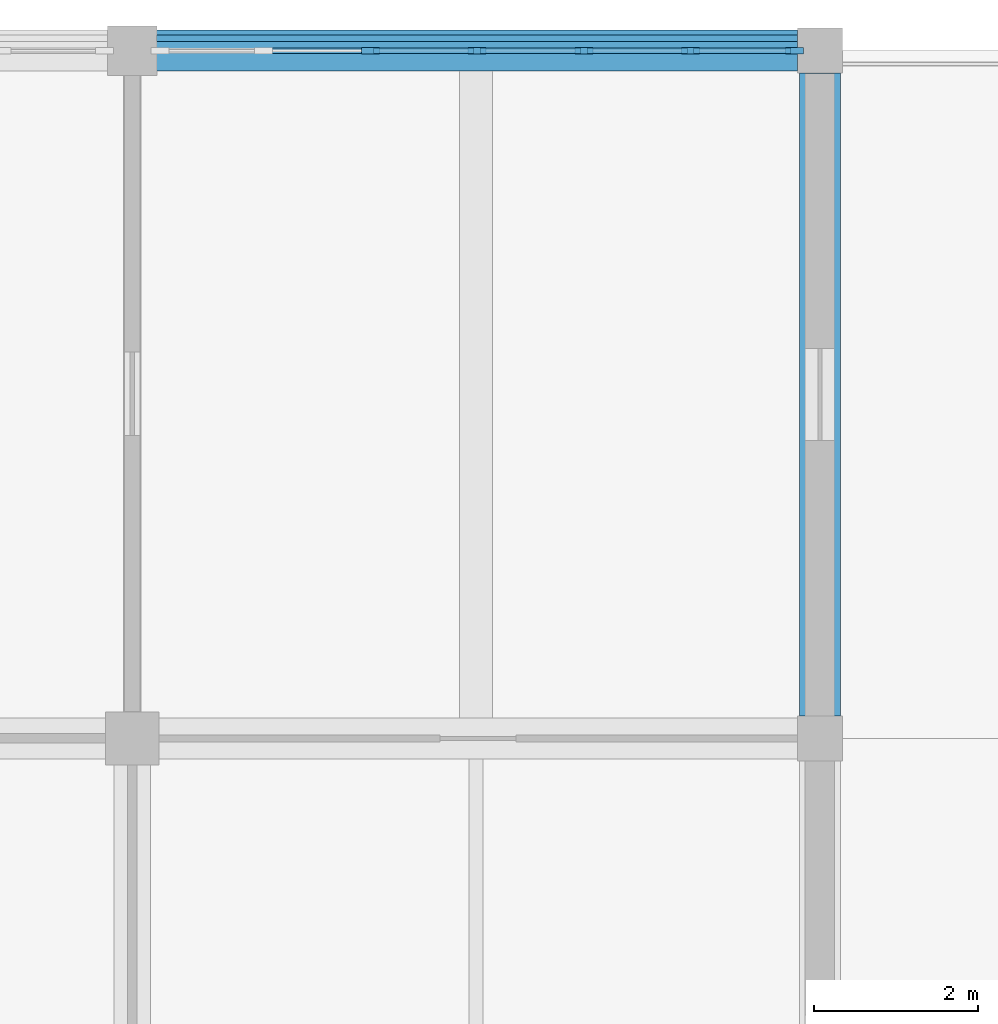
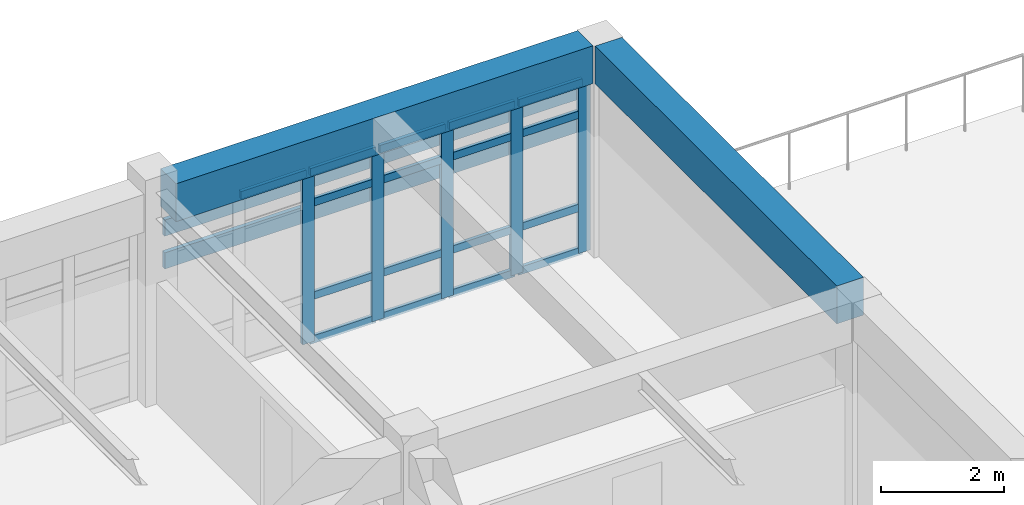
# One storey, part 57 of 99: 24 members, 2 beams, 1 element without a shape of its own.
"""IFC4 building model written with IfcOpenShell, lengths in metres."""

from ifc_helpers import new_model, si_unit, direction, frame, origin, origin_2d, place, context, subcontext, project, spatial, rectangle, extrude, material, layer, layer_set, material_profile, profile_set, type_object, element, aggregate, save


model = new_model("IFC4")

# Units and contexts
model_context = context("Model", 3, precision=1e-05, world=origin(), true_north=direction((0.0, 1.0)))
body_context = subcontext(model_context, "Body", "Model", "MODEL_VIEW")
ifc_project = project(units=[si_unit("LENGTHUNIT", "METRE"), si_unit("AREAUNIT", "SQUARE_METRE"), si_unit("VOLUMEUNIT", "CUBIC_METRE"), si_unit("PLANEANGLEUNIT", "RADIAN"), si_unit("MASSUNIT", "GRAM", prefix="KILO")], contexts=[model_context])

# Site, building, storey
site_placement = place(None, origin())
site = spatial("IfcSite", under=ifc_project, at=site_placement, CompositionType="ELEMENT")
building_placement = place(site_placement, origin())
building = spatial("IfcBuilding", under=site, at=building_placement, Name="Porcellanite Civic Hall", CompositionType="ELEMENT")
storey_placement = place(building_placement, frame((0.0, 0.0, 5.760009765625)))
storey = spatial("IfcBuildingStorey", under=building, at=storey_placement, Name="L01", CompositionType="ELEMENT", Elevation=5.760009765625)

# Beams
ifc_material_1 = material(Name="Concrete N50 (50 MPa)", Category="concrete")
ifc_material_profile_1 = material_profile(ifc_material_1, rectangle(XDim=0.5, YDim=0.75, at=origin_2d()), Name="RC-500x750")
ifc_profile_set_1 = profile_set([ifc_material_profile_1], Name="Concrete N50 (50 MPa)")
beam_type = type_object("IfcBeamType", Name="BM-RC750", PredefinedType="SPANDREL", material=ifc_profile_set_1)
beam_1_placement = place(storey_placement, frame((159.8994140625, 117.60009765625, 3.824951171875), z_axis=(1.0, 0.0, 0.0), x_axis=(0.0, 1.0, 0.0)))
element("IfcBeam", 1, at=beam_1_placement, inside=storey, type_object=beam_type, Name="Beam X L01 20-15", PredefinedType="SPANDREL", context=body_context, shape_type="SweptSolid", body=[
    extrude(rectangle(XDim=0.5, YDim=0.75, at=origin_2d()), origin(), (0.0, 0.0, 1.0), 7.826171875),
])
beam_2_placement = place(storey_placement, frame((168.0, 109.474609375, 3.824951171875), z_axis=(0.0, 1.0, 0.0), x_axis=(-1.0, 0.0, 0.0)))
element("IfcBeam", 2, at=beam_2_placement, inside=storey, type_object=beam_type, Name="Beam Y L01 21-14", PredefinedType="SPANDREL", context=body_context, shape_type="SweptSolid", body=[
    extrude(rectangle(XDim=0.5, YDim=0.75, at=origin_2d()), origin(), (0.0, 0.0, 1.0), 7.850830078125),
])

# Curtain wall, members
ifc_material_2 = material(Name="Anodised aluminium and solar laminated glass", Category="aluminium")
ifc_layer = layer(ifc_material_2, 0.179931640625)
ifc_layer_set = layer_set([ifc_layer], Name="Anodised aluminium and solar laminated glass")
curtain_wall_type = type_object("IfcCurtainWallType", Name="CW-SYS02", PredefinedType="NOTDEFINED", material=ifc_layer_set)
curtain_wall_placement = place(storey_placement, origin())
curtain_wall = element("IfcCurtainWall", 3, at=curtain_wall_placement, inside=storey, type_object=curtain_wall_type, Name="Curtain wall CW-128", PredefinedType="NOTDEFINED")
ifc_material_3 = material(Name="Anodised aluminium 6063-T6", Category="aluminium")
ifc_material_profile_2 = material_profile(ifc_material_3, rectangle(XDim=0.074951171875, YDim=0.219970703125, at=origin_2d()), Name="AL-75x220")
ifc_profile_set_2 = profile_set([ifc_material_profile_2], Name="Anodised aluminium 6063-T6")
member_type_1 = type_object("IfcMemberType", Name="CWM-03", PredefinedType="MULLION", material=ifc_profile_set_2)
member_1_placement = place(storey_placement, frame((162.508544921875, 117.60009765625, 0.0), z_axis=(0.0, 0.0, 1.0), x_axis=(0.0, 1.0, 0.0)))
member_1 = element("IfcMember", 4, at=member_1_placement, type_object=member_type_1, Name="CW-128 mullion 3", PredefinedType="MULLION", context=body_context, shape_type="SweptSolid", body=[
    extrude(rectangle(XDim=0.074951171875, YDim=0.219970703125, at=origin_2d()), origin(), (0.0, 0.0, 1.0), 3.39990234375),
])
member_2_placement = place(storey_placement, frame((163.8125, 117.60009765625, 0.0), z_axis=(0.0, 0.0, 1.0), x_axis=(0.0, 1.0, 0.0)))
member_2 = element("IfcMember", 5, at=member_2_placement, type_object=member_type_1, Name="CW-128 mullion 4", PredefinedType="MULLION", context=body_context, shape_type="SweptSolid", body=[
    extrude(rectangle(XDim=0.074951171875, YDim=0.219970703125, at=origin_2d()), origin(), (0.0, 0.0, 1.0), 3.39990234375),
])
member_3_placement = place(storey_placement, frame((165.116455078125, 117.60009765625, 0.0), z_axis=(0.0, 0.0, 1.0), x_axis=(0.0, 1.0, 0.0)))
member_3 = element("IfcMember", 6, at=member_3_placement, type_object=member_type_1, Name="CW-128 mullion 5", PredefinedType="MULLION", context=body_context, shape_type="SweptSolid", body=[
    extrude(rectangle(XDim=0.074951171875, YDim=0.219970703125, at=origin_2d()), origin(), (0.0, 0.0, 1.0), 3.39990234375),
])
member_4_placement = place(storey_placement, frame((166.420166015625, 117.60009765625, 0.0), z_axis=(0.0, 0.0, 1.0), x_axis=(0.0, 1.0, 0.0)))
member_4 = element("IfcMember", 7, at=member_4_placement, type_object=member_type_1, Name="CW-128 mullion 6", PredefinedType="MULLION", context=body_context, shape_type="SweptSolid", body=[
    extrude(rectangle(XDim=0.074951171875, YDim=0.219970703125, at=origin_2d()), origin(), (0.0, 0.0, 1.0), 3.39990234375),
])
member_5_placement = place(storey_placement, frame((167.6865234375, 117.60009765625, 0.0), z_axis=(0.0, 0.0, 1.0), x_axis=(0.0, 1.0, 0.0)))
member_5 = element("IfcMember", 8, at=member_5_placement, type_object=member_type_1, Name="CW-128 mullion 7", PredefinedType="MULLION", context=body_context, shape_type="SweptSolid", body=[
    extrude(rectangle(XDim=0.074951171875, YDim=0.219970703125, at=origin_2d()), origin(), (0.0, 0.0, 1.0), 3.39990234375),
])
ifc_material_4 = material(Name="Anodised aluminium 6063-T6", Category="aluminium")
ifc_material_profile_3 = material_profile(ifc_material_4, rectangle(XDim=0.06494140625, YDim=0.14990234375, at=origin_2d()), Name="AL-65x150")
ifc_profile_set_3 = profile_set([ifc_material_profile_3], Name="Anodised aluminium 6063-T6")
member_type_2 = type_object("IfcMemberType", Name="CWT-02", PredefinedType="USERDEFINED", material=ifc_profile_set_3)
member_6_placement = place(storey_placement, frame((161.242431640625, 117.60009765625, 3.367431640625), z_axis=(1.0, 0.0, 0.0), x_axis=(0.0, 1.0, 0.0)))
member_6 = element("IfcMember", 9, at=member_6_placement, type_object=member_type_2, Name="CW-128 transom 2.4", ObjectType="TRANSOM", PredefinedType="USERDEFINED", context=body_context, shape_type="SweptSolid", body=[
    extrude(rectangle(XDim=0.06494140625, YDim=0.14990234375, at=origin_2d()), origin(), (0.0, 0.0, 1.0), 1.228759765625),
])
member_7_placement = place(storey_placement, frame((162.546142578125, 117.60009765625, 0.032470703125), z_axis=(1.0, 0.0, 0.0), x_axis=(0.0, 1.0, 0.0)))
member_7 = element("IfcMember", 10, at=member_7_placement, type_object=member_type_2, Name="CW-128 transom 3.1", ObjectType="TRANSOM", PredefinedType="USERDEFINED", context=body_context, shape_type="SweptSolid", body=[
    extrude(rectangle(XDim=0.06494140625, YDim=0.14990234375, at=origin_2d()), origin(), (0.0, 0.0, 1.0), 1.228759765625),
])
member_8_placement = place(storey_placement, frame((162.546142578125, 117.60009765625, 0.89990234375), z_axis=(1.0, 0.0, 0.0), x_axis=(0.0, 1.0, 0.0)))
member_8 = element("IfcMember", 11, at=member_8_placement, type_object=member_type_2, Name="CW-128 transom 3.2", ObjectType="TRANSOM", PredefinedType="USERDEFINED", context=body_context, shape_type="SweptSolid", body=[
    extrude(rectangle(XDim=0.06494140625, YDim=0.14990234375, at=origin_2d()), origin(), (0.0, 0.0, 1.0), 1.228759765625),
])
member_9_placement = place(storey_placement, frame((162.546142578125, 117.60009765625, 2.75), z_axis=(1.0, 0.0, 0.0), x_axis=(0.0, 1.0, 0.0)))
member_9 = element("IfcMember", 12, at=member_9_placement, type_object=member_type_2, Name="CW-128 transom 3.3", ObjectType="TRANSOM", PredefinedType="USERDEFINED", context=body_context, shape_type="SweptSolid", body=[
    extrude(rectangle(XDim=0.06494140625, YDim=0.14990234375, at=origin_2d()), origin(), (0.0, 0.0, 1.0), 1.228759765625),
])
member_10_placement = place(storey_placement, frame((162.546142578125, 117.60009765625, 3.367431640625), z_axis=(1.0, 0.0, 0.0), x_axis=(0.0, 1.0, 0.0)))
member_10 = element("IfcMember", 13, at=member_10_placement, type_object=member_type_2, Name="CW-128 transom 3.4", ObjectType="TRANSOM", PredefinedType="USERDEFINED", context=body_context, shape_type="SweptSolid", body=[
    extrude(rectangle(XDim=0.06494140625, YDim=0.14990234375, at=origin_2d()), origin(), (0.0, 0.0, 1.0), 1.228759765625),
])
member_11_placement = place(storey_placement, frame((163.85009765625, 117.60009765625, 0.032470703125), z_axis=(1.0, 0.0, 0.0), x_axis=(0.0, 1.0, 0.0)))
member_11 = element("IfcMember", 14, at=member_11_placement, type_object=member_type_2, Name="CW-128 transom 4.1", ObjectType="TRANSOM", PredefinedType="USERDEFINED", context=body_context, shape_type="SweptSolid", body=[
    extrude(rectangle(XDim=0.06494140625, YDim=0.14990234375, at=origin_2d()), origin(), (0.0, 0.0, 1.0), 1.228759765625),
])
member_12_placement = place(storey_placement, frame((163.85009765625, 117.60009765625, 0.89990234375), z_axis=(1.0, 0.0, 0.0), x_axis=(0.0, 1.0, 0.0)))
member_12 = element("IfcMember", 15, at=member_12_placement, type_object=member_type_2, Name="CW-128 transom 4.2", ObjectType="TRANSOM", PredefinedType="USERDEFINED", context=body_context, shape_type="SweptSolid", body=[
    extrude(rectangle(XDim=0.06494140625, YDim=0.14990234375, at=origin_2d()), origin(), (0.0, 0.0, 1.0), 1.228759765625),
])
member_13_placement = place(storey_placement, frame((163.85009765625, 117.60009765625, 2.75), z_axis=(1.0, 0.0, 0.0), x_axis=(0.0, 1.0, 0.0)))
member_13 = element("IfcMember", 16, at=member_13_placement, type_object=member_type_2, Name="CW-128 transom 4.3", ObjectType="TRANSOM", PredefinedType="USERDEFINED", context=body_context, shape_type="SweptSolid", body=[
    extrude(rectangle(XDim=0.06494140625, YDim=0.14990234375, at=origin_2d()), origin(), (0.0, 0.0, 1.0), 1.228759765625),
])
member_14_placement = place(storey_placement, frame((163.85009765625, 117.60009765625, 3.367431640625), z_axis=(1.0, 0.0, 0.0), x_axis=(0.0, 1.0, 0.0)))
member_14 = element("IfcMember", 17, at=member_14_placement, type_object=member_type_2, Name="CW-128 transom 4.4", ObjectType="TRANSOM", PredefinedType="USERDEFINED", context=body_context, shape_type="SweptSolid", body=[
    extrude(rectangle(XDim=0.06494140625, YDim=0.14990234375, at=origin_2d()), origin(), (0.0, 0.0, 1.0), 1.228759765625),
])
member_15_placement = place(storey_placement, frame((165.15380859375, 117.60009765625, 0.032470703125), z_axis=(1.0, 0.0, 0.0), x_axis=(0.0, 1.0, 0.0)))
member_15 = element("IfcMember", 18, at=member_15_placement, type_object=member_type_2, Name="CW-128 transom 5.1", ObjectType="TRANSOM", PredefinedType="USERDEFINED", context=body_context, shape_type="SweptSolid", body=[
    extrude(rectangle(XDim=0.06494140625, YDim=0.14990234375, at=origin_2d()), origin(), (0.0, 0.0, 1.0), 1.228759765625),
])
member_16_placement = place(storey_placement, frame((165.15380859375, 117.60009765625, 0.89990234375), z_axis=(1.0, 0.0, 0.0), x_axis=(0.0, 1.0, 0.0)))
member_16 = element("IfcMember", 19, at=member_16_placement, type_object=member_type_2, Name="CW-128 transom 5.2", ObjectType="TRANSOM", PredefinedType="USERDEFINED", context=body_context, shape_type="SweptSolid", body=[
    extrude(rectangle(XDim=0.06494140625, YDim=0.14990234375, at=origin_2d()), origin(), (0.0, 0.0, 1.0), 1.228759765625),
])
member_17_placement = place(storey_placement, frame((165.15380859375, 117.60009765625, 2.75), z_axis=(1.0, 0.0, 0.0), x_axis=(0.0, 1.0, 0.0)))
member_17 = element("IfcMember", 20, at=member_17_placement, type_object=member_type_2, Name="CW-128 transom 5.3", ObjectType="TRANSOM", PredefinedType="USERDEFINED", context=body_context, shape_type="SweptSolid", body=[
    extrude(rectangle(XDim=0.06494140625, YDim=0.14990234375, at=origin_2d()), origin(), (0.0, 0.0, 1.0), 1.228759765625),
])
member_18_placement = place(storey_placement, frame((165.15380859375, 117.60009765625, 3.367431640625), z_axis=(1.0, 0.0, 0.0), x_axis=(0.0, 1.0, 0.0)))
member_18 = element("IfcMember", 21, at=member_18_placement, type_object=member_type_2, Name="CW-128 transom 5.4", ObjectType="TRANSOM", PredefinedType="USERDEFINED", context=body_context, shape_type="SweptSolid", body=[
    extrude(rectangle(XDim=0.06494140625, YDim=0.14990234375, at=origin_2d()), origin(), (0.0, 0.0, 1.0), 1.228759765625),
])
member_19_placement = place(storey_placement, frame((166.457763671875, 117.60009765625, 0.032470703125), z_axis=(1.0, 0.0, 0.0), x_axis=(0.0, 1.0, 0.0)))
member_19 = element("IfcMember", 22, at=member_19_placement, type_object=member_type_2, Name="CW-128 transom 6.1", ObjectType="TRANSOM", PredefinedType="USERDEFINED", context=body_context, shape_type="SweptSolid", body=[
    extrude(rectangle(XDim=0.06494140625, YDim=0.14990234375, at=origin_2d()), origin(), (0.0, 0.0, 1.0), 1.191162109375),
])
member_20_placement = place(storey_placement, frame((166.457763671875, 117.60009765625, 0.89990234375), z_axis=(1.0, 0.0, 0.0), x_axis=(0.0, 1.0, 0.0)))
member_20 = element("IfcMember", 23, at=member_20_placement, type_object=member_type_2, Name="CW-128 transom 6.2", ObjectType="TRANSOM", PredefinedType="USERDEFINED", context=body_context, shape_type="SweptSolid", body=[
    extrude(rectangle(XDim=0.06494140625, YDim=0.14990234375, at=origin_2d()), origin(), (0.0, 0.0, 1.0), 1.191162109375),
])
member_21_placement = place(storey_placement, frame((166.457763671875, 117.60009765625, 2.75), z_axis=(1.0, 0.0, 0.0), x_axis=(0.0, 1.0, 0.0)))
member_21 = element("IfcMember", 24, at=member_21_placement, type_object=member_type_2, Name="CW-128 transom 6.3", ObjectType="TRANSOM", PredefinedType="USERDEFINED", context=body_context, shape_type="SweptSolid", body=[
    extrude(rectangle(XDim=0.06494140625, YDim=0.14990234375, at=origin_2d()), origin(), (0.0, 0.0, 1.0), 1.191162109375),
])
member_22_placement = place(storey_placement, frame((166.457763671875, 117.60009765625, 3.367431640625), z_axis=(1.0, 0.0, 0.0), x_axis=(0.0, 1.0, 0.0)))
member_22 = element("IfcMember", 25, at=member_22_placement, type_object=member_type_2, Name="CW-128 transom 6.4", ObjectType="TRANSOM", PredefinedType="USERDEFINED", context=body_context, shape_type="SweptSolid", body=[
    extrude(rectangle(XDim=0.06494140625, YDim=0.14990234375, at=origin_2d()), origin(), (0.0, 0.0, 1.0), 1.191162109375),
])
aggregate(curtain_wall, [member_1, member_2, member_3, member_4, member_5, member_6, member_7, member_8, member_9, member_10, member_11, member_12, member_13, member_14, member_15, member_16, member_17, member_18, member_19, member_20, member_21, member_22])

# Members
ifc_material_5 = material(Name="Fluoropolymer bauxite-red aluminium 6063-T6", Category="aluminium")
ifc_material_profile_4 = material_profile(ifc_material_5, rectangle(XDim=0.080078125, YDim=0.320068359375, at=origin_2d()), Name="AL-80x320")
ifc_profile_set_4 = profile_set([ifc_material_profile_4], Name="Fluoropolymer bauxite-red aluminium 6063-T6")
member_type_3 = type_object("IfcMemberType", Name="LV-BLD03", PredefinedType="USERDEFINED", material=ifc_profile_set_4)
for number, where, z_axis, x_axis, name in (
    (26, (159.8994140625, 117.751953125, 3.10009765625), (1.0, 0.0, 0.0), (0.0, 1.0, 0.0), "Cyclone sunshade louvre L01 N 19-13 1"),
    (27, (159.8994140625, 117.751953125, 2.449951171875), (1.0, 0.0, 0.0), (0.0, 1.0, 0.0), "Cyclone sunshade louvre L01 N 19-13 2"),
):
    element("IfcMember", number, at=place(storey_placement, frame(where, z_axis=z_axis, x_axis=x_axis)), inside=storey, type_object=member_type_3, Name=name, ObjectType="LOUVRE BLADE", PredefinedType="USERDEFINED", context=body_context, shape_type="SweptSolid", body=[
        extrude(rectangle(XDim=0.080078125, YDim=0.320068359375, at=origin_2d()), origin(), (0.0, 0.0, 1.0), 7.826171875),
    ])

save(model, "model.ifc")
